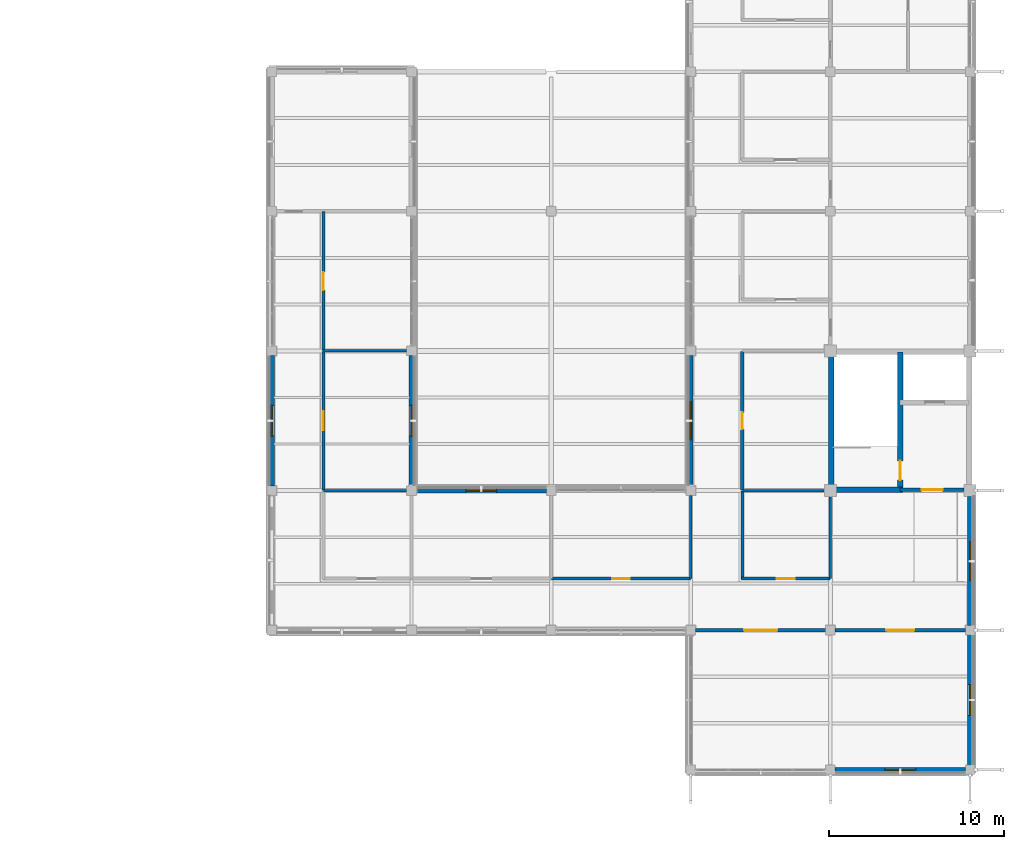
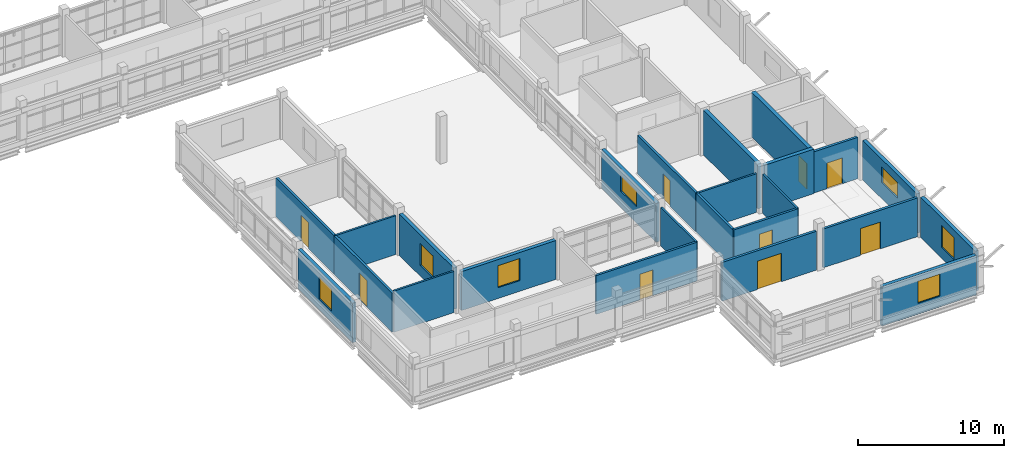
# One storey, part 83 of 107: 24 walls, 9 doors, 7 windows, 16 openings.
"""IFC4 building model written with IfcOpenShell, lengths in metres."""

from ifc_helpers import new_model, si_unit, derived_unit, direction, frame, frame_2d, origin, place, context, subcontext, project, spatial, rectangle, extrude, material, layer, layer_set, type_object, element, fill, save


model = new_model("IFC4")

# Units and contexts
model_context = context("Model", 3, precision=1e-05, world=origin(), true_north=direction((0.0, 1.0)))
body_context = subcontext(model_context, "Body", "Model", "MODEL_VIEW")
ifc_project = project(units=[si_unit("LENGTHUNIT", "METRE"), si_unit("AREAUNIT", "SQUARE_METRE"), si_unit("VOLUMEUNIT", "CUBIC_METRE"), si_unit("PLANEANGLEUNIT", "RADIAN"), si_unit("MASSUNIT", "GRAM", prefix="KILO"), derived_unit("THERMALTRANSMITTANCEUNIT", [(si_unit("MASSUNIT", "GRAM", prefix="KILO"), 1), (si_unit("TIMEUNIT", "SECOND"), -3), (si_unit("THERMODYNAMICTEMPERATUREUNIT", "KELVIN"), -1)])], contexts=[model_context])

# Site, building, storey
site_placement = place(None, origin())
site = spatial("IfcSite", under=ifc_project, at=site_placement, CompositionType="ELEMENT")
building_placement = place(site_placement, origin())
building = spatial("IfcBuilding", under=site, at=building_placement, Name="Veyamyaing Civic Hall", CompositionType="ELEMENT")
storey_placement = place(building_placement, frame((0.0, 0.0, 13.860107421875)))
storey = spatial("IfcBuildingStorey", under=building, at=storey_placement, Name="L03", CompositionType="ELEMENT", Elevation=13.860107421875)

# Walls
ifc_material_1 = material(Name="Concrete C40/50", Category="concrete")
ifc_layer_1 = layer(ifc_material_1, 0.300048828125, Name="Concrete C40/50")
ifc_layer_set_1 = layer_set([ifc_layer_1], Name="Concrete C40/50")
wall_type_1 = type_object("IfcWallType", Name="WT-05", PredefinedType="SHEAR", material=ifc_layer_set_1)
wall_1_placement = place(storey_placement, frame((168.050048828125, 16.239990234375, 0.0), z_axis=(0.0, 0.0, 1.0), x_axis=(0.0, 1.0, 0.0)))
element("IfcWall", 1, at=wall_1_placement, inside=storey, type_object=wall_type_1, Name="Core shear wall WT-05 CORE-8 L03.W", PredefinedType="SHEAR", context=body_context, shape_type="SweptSolid", body=[
    extrude(rectangle(XDim=7.52001953125, YDim=0.300048828125, at=frame_2d((3.760009765625, 0.0))), origin(), (0.0, 0.0, 1.0), 3.724853515625),
])
wall_2_placement = place(storey_placement, frame((168.239990234375, 16.050048828125, 0.0), z_axis=(0.0, 0.0, 1.0), x_axis=(1.0, 0.0, 0.0)))
element("IfcWall", 2, at=wall_2_placement, inside=storey, type_object=wall_type_1, Name="Core shear wall WT-05 CORE-8 L03.SS", PredefinedType="SHEAR", context=body_context, shape_type="SweptSolid", body=[
    extrude(rectangle(XDim=3.909912109375, YDim=0.300048828125, at=frame_2d((1.955078125, 0.0))), origin(), (0.0, 0.0, 1.0), 3.724853515625),
])

# Wall, opening, door
wall_3_placement = place(storey_placement, frame((172.0, 16.050048828125, 0.0), z_axis=(0.0, 0.0, 1.0), x_axis=(0.0, 1.0, 0.0)))
wall_3 = element("IfcWall", 3, at=wall_3_placement, inside=storey, type_object=wall_type_1, Name="Core shear wall WT-05 CORE-8 L03.MID", PredefinedType="SHEAR", context=body_context, shape_type="SweptSolid", body=[
    extrude(rectangle(XDim=7.89990234375, YDim=0.300048828125, at=frame_2d((3.949951171875, 0.0))), origin(), (0.0, 0.0, 1.0), 3.724853515625),
])
opening_1_placement = place(wall_3_placement, frame((0.550048828125, 0.0, 0.0)))
opening_1 = element("IfcOpeningElement", 4, at=opening_1_placement, cuts=wall_3, Name="Opening D-03", PredefinedType="OPENING", context=body_context, shape_type="SweptSolid", body=[
    extrude(rectangle(XDim=1.10009765625, YDim=2.14990234375, at=frame_2d((0.550048828125, 1.074951171875))), frame((0.0, 0.159912109375, 0.0), z_axis=(0.0, -1.0, 0.0), x_axis=(1.0, 0.0, 0.0)), (0.0, 0.0, 1.0), 0.320068359375),
])
ifc_material_2 = material(Name="Galvanized steel S355J2", Category="steel")
door_type_1 = type_object("IfcDoorType", Name="D-03", OperationType="NOTDEFINED", PredefinedType="DOOR", material=ifc_material_2)
door_1_placement = place(opening_1_placement, origin())
door_1 = element("IfcDoor", 5, at=door_1_placement, inside=storey, type_object=door_type_1, Name="Exit stair fire door D-03 ST-10 L03", OperationType="SINGLE_SWING_LEFT", OverallHeight=2.14990234375, OverallWidth=1.10009765625, PredefinedType="DOOR", context=body_context, shape_type="SweptSolid", body=[
    extrude(rectangle(XDim=1.10009765625, YDim=2.14990234375, at=frame_2d((0.550048828125, 1.074951171875))), frame((0.0, 0.02490234375, 0.0), z_axis=(0.0, -1.0, 0.0), x_axis=(1.0, 0.0, 0.0)), (0.0, 0.0, 1.0), 0.050048828125),
])
fill(opening_1, door_1)

ifc_layer_2 = layer(ifc_material_1, 0.199951171875, Name="Concrete C40/50")
ifc_layer_set_2 = layer_set([ifc_layer_2], Name="Concrete C40/50")
wall_type_2 = type_object("IfcWallType", Name="WT-06", PredefinedType="PARTITIONING", material=ifc_layer_set_2)
wall_4_placement = place(storey_placement, frame((172.0, 16.050048828125, 0.0), z_axis=(0.0, 0.0, 1.0), x_axis=(1.0, 0.0, 0.0)))
wall_4 = element("IfcWall", 6, at=wall_4_placement, inside=storey, type_object=wall_type_2, Name="Firefighting lift lobby wall WT-06 CORE-8 L03", PredefinedType="PARTITIONING", context=body_context, shape_type="SweptSolid", body=[
    extrude(rectangle(XDim=3.659912109375, YDim=0.199951171875, at=frame_2d((1.830078125, 0.0))), origin(), (0.0, 0.0, 1.0), 3.44677734375),
])
opening_2_placement = place(wall_4_placement, frame((1.22998046875, 0.0, 0.0)))
opening_2 = element("IfcOpeningElement", 7, at=opening_2_placement, cuts=wall_4, Name="Opening D-04", PredefinedType="OPENING", context=body_context, shape_type="SweptSolid", body=[
    extrude(rectangle(XDim=1.199951171875, YDim=2.14990234375, at=frame_2d((0.60009765625, 1.074951171875))), frame((0.0, 0.10986328125, 0.0), z_axis=(0.0, -1.0, 0.0), x_axis=(1.0, 0.0, 0.0)), (0.0, 0.0, 1.0), 0.219970703125),
])
door_type_2 = type_object("IfcDoorType", Name="D-04", OperationType="NOTDEFINED", PredefinedType="DOOR", material=ifc_material_2)
door_2_placement = place(opening_2_placement, frame((1.199951171875, 0.0, 0.0), z_axis=(0.0, 0.0, 1.0), x_axis=(-1.0, 0.0, 0.0)))
door_2 = element("IfcDoor", 8, at=door_2_placement, inside=storey, type_object=door_type_2, Name="Protected lobby fire door D-04 CORE-8 L03", OperationType="SINGLE_SWING_RIGHT", OverallHeight=2.14990234375, OverallWidth=1.199951171875, PredefinedType="DOOR", context=body_context, shape_type="SweptSolid", body=[
    extrude(rectangle(XDim=1.199951171875, YDim=2.14990234375, at=frame_2d((0.60009765625, 1.074951171875))), frame((0.0, 0.02490234375, 0.0), z_axis=(0.0, -1.0, 0.0), x_axis=(1.0, 0.0, 0.0)), (0.0, 0.0, 1.0), 0.050048828125),
])
fill(opening_2, door_2)

wall_5_placement = place(storey_placement, frame((160.264892578125, 8.0, 0.0), z_axis=(0.0, 0.0, 1.0), x_axis=(1.0, 0.0, 0.0)))
wall_5 = element("IfcWall", 9, at=wall_5_placement, inside=storey, type_object=wall_type_2, Name="Interior partition wall WT-06 L03.27", PredefinedType="PARTITIONING", context=body_context, shape_type="SweptSolid", body=[
    extrude(rectangle(XDim=7.47021484375, YDim=0.199951171875, at=frame_2d((3.735107421875, 0.0))), origin(), (0.0, 0.0, 1.0), 3.247802734375),
])
opening_3_placement = place(wall_5_placement, frame((2.784912109375, 0.0, 0.0)))
opening_3 = element("IfcOpeningElement", 10, at=opening_3_placement, cuts=wall_5, Name="Opening D-31", PredefinedType="OPENING", context=body_context, shape_type="SweptSolid", body=[
    extrude(rectangle(XDim=1.89990234375, YDim=2.3798828125, at=frame_2d((0.949951171875, 1.18994140625))), frame((0.0, 0.10986328125, 0.0), z_axis=(0.0, -1.0, 0.0), x_axis=(1.0, 0.0, 0.0)), (0.0, 0.0, 1.0), 0.219970703125),
])
ifc_material_3 = material(Name="Teak-veneered acoustic timber", Category="wood")
door_type_3 = type_object("IfcDoorType", Name="D-31", OperationType="DOUBLE_DOOR_SINGLE_SWING", PredefinedType="DOOR", material=ifc_material_3)
door_3_placement = place(opening_3_placement, frame((1.89990234375, 0.0, 0.0), z_axis=(0.0, 0.0, 1.0), x_axis=(-1.0, 0.0, 0.0)))
door_3 = element("IfcDoor", 11, at=door_3_placement, inside=storey, type_object=door_type_3, Name="Interior door D-31 L03.27", OperationType="DOUBLE_DOOR_SINGLE_SWING", OverallHeight=2.3798828125, OverallWidth=1.89990234375, PredefinedType="DOOR", context=body_context, shape_type="SweptSolid", body=[
    extrude(rectangle(XDim=1.89990234375, YDim=2.3798828125, at=frame_2d((0.949951171875, 1.18994140625))), frame((0.0, 0.02490234375, 0.0), z_axis=(0.0, -1.0, 0.0), x_axis=(1.0, 0.0, 0.0)), (0.0, 0.0, 1.0), 0.050048828125),
])
fill(opening_3, door_3)

wall_6_placement = place(storey_placement, frame((168.264892578125, 8.0, 0.0), z_axis=(0.0, 0.0, 1.0), x_axis=(1.0, 0.0, 0.0)))
wall_6 = element("IfcWall", 12, at=wall_6_placement, inside=storey, type_object=wall_type_2, Name="Interior partition wall WT-06 L03.34", PredefinedType="PARTITIONING", context=body_context, shape_type="SweptSolid", body=[
    extrude(rectangle(XDim=7.47021484375, YDim=0.199951171875, at=frame_2d((3.735107421875, 0.0))), origin(), (0.0, 0.0, 1.0), 3.23583984375),
])
opening_4_placement = place(wall_6_placement, frame((2.93505859375, 0.0, 0.0)))
opening_4 = element("IfcOpeningElement", 13, at=opening_4_placement, cuts=wall_6, Name="Opening D-09", PredefinedType="OPENING", context=body_context, shape_type="SweptSolid", body=[
    extrude(rectangle(XDim=1.60009765625, YDim=2.25, at=frame_2d((0.800048828125, 1.125))), frame((0.0, 0.10986328125, 0.0), z_axis=(0.0, -1.0, 0.0), x_axis=(1.0, 0.0, 0.0)), (0.0, 0.0, 1.0), 0.219970703125),
])
door_type_4 = type_object("IfcDoorType", Name="D-09", OperationType="DOUBLE_DOOR_SINGLE_SWING", PredefinedType="DOOR", material=ifc_material_3)
door_4_placement = place(opening_4_placement, frame((1.60009765625, 0.0, 0.0), z_axis=(0.0, 0.0, 1.0), x_axis=(-1.0, 0.0, 0.0)))
door_4 = element("IfcDoor", 14, at=door_4_placement, inside=storey, type_object=door_type_4, Name="Interior door D-09 L03.34", OperationType="DOUBLE_DOOR_SINGLE_SWING", OverallHeight=2.25, OverallWidth=1.60009765625, PredefinedType="DOOR", context=body_context, shape_type="SweptSolid", body=[
    extrude(rectangle(XDim=1.60009765625, YDim=2.25, at=frame_2d((0.800048828125, 1.125))), frame((0.0, 0.02490234375, 0.0), z_axis=(0.0, -1.0, 0.0), x_axis=(1.0, 0.0, 0.0)), (0.0, 0.0, 1.0), 0.050048828125),
])
fill(opening_4, door_4)

ifc_material_4 = material(Name="Gypsum board on acoustic steel stud", Category="steel")
ifc_layer_3 = layer(ifc_material_4, 0.175048828125, Name="Gypsum board on acoustic steel stud")
ifc_layer_set_3 = layer_set([ifc_layer_3], Name="Gypsum board on acoustic steel stud")
wall_type_3 = type_object("IfcWallType", Name="WT-07", PredefinedType="PARTITIONING", material=ifc_layer_set_3)
wall_7_placement = place(storey_placement, frame((138.949951171875, 24.02001953125, 0.0), z_axis=(0.0, 0.0, 1.0), x_axis=(0.0, 1.0, 0.0)))
wall_7 = element("IfcWall", 15, at=wall_7_placement, inside=storey, type_object=wall_type_3, Name="Corridor gallery partition WT-07 L03.41.1", PredefinedType="PARTITIONING", context=body_context, shape_type="SweptSolid", body=[
    extrude(rectangle(XDim=7.9599609375, YDim=0.175048828125, at=frame_2d((3.97998046875, 0.0))), origin(), (0.0, 0.0, 1.0), 3.241943359375),
])
opening_5_placement = place(wall_7_placement, frame((3.4599609375, 0.0, 0.0)))
opening_5 = element("IfcOpeningElement", 16, at=opening_5_placement, cuts=wall_7, Name="Opening D-24", PredefinedType="OPENING", context=body_context, shape_type="SweptSolid", body=[
    extrude(rectangle(XDim=1.0400390625, YDim=2.179931640625, at=frame_2d((0.52001953125, 1.08984375))), frame((0.0, 0.097412109375, 0.0), z_axis=(0.0, -1.0, 0.0), x_axis=(1.0, 0.0, 0.0)), (0.0, 0.0, 1.0), 0.195068359375),
])
door_type_5 = type_object("IfcDoorType", Name="D-24", OperationType="NOTDEFINED", PredefinedType="DOOR", material=ifc_material_3)
door_5_placement = place(opening_5_placement, frame((1.0400390625, 0.0, 0.0), z_axis=(0.0, 0.0, 1.0), x_axis=(-1.0, 0.0, 0.0)))
door_5 = element("IfcDoor", 17, at=door_5_placement, inside=storey, type_object=door_type_5, Name="Gallery office door D-24 L03.41", OperationType="SINGLE_SWING_LEFT", OverallHeight=2.179931640625, OverallWidth=1.0400390625, PredefinedType="DOOR", context=body_context, shape_type="SweptSolid", body=[
    extrude(rectangle(XDim=1.0400390625, YDim=2.179931640625, at=frame_2d((0.52001953125, 1.08984375))), frame((0.0, 0.02490234375, 0.0), z_axis=(0.0, -1.0, 0.0), x_axis=(1.0, 0.0, 0.0)), (0.0, 0.0, 1.0), 0.050048828125),
])
fill(opening_5, door_5)

wall_8_placement = place(storey_placement, frame((152.02001953125, 10.949951171875, 0.0), z_axis=(0.0, 0.0, 1.0), x_axis=(1.0, 0.0, 0.0)))
wall_8 = element("IfcWall", 18, at=wall_8_placement, inside=storey, type_object=wall_type_3, Name="Corridor gallery partition WT-07 L03.47.1", PredefinedType="PARTITIONING", context=body_context, shape_type="SweptSolid", body=[
    extrude(rectangle(XDim=7.9599609375, YDim=0.175048828125, at=frame_2d((3.97998046875, 0.0))), origin(), (0.0, 0.0, 1.0), 3.241943359375),
])
opening_6_placement = place(wall_8_placement, frame((3.47998046875, 0.0, 0.0)))
opening_6 = element("IfcOpeningElement", 19, at=opening_6_placement, cuts=wall_8, Name="Opening D-13", PredefinedType="OPENING", context=body_context, shape_type="SweptSolid", body=[
    extrude(rectangle(XDim=1.0, YDim=2.14990234375, at=frame_2d((0.5, 1.074951171875))), frame((0.0, 0.097412109375, 0.0), z_axis=(0.0, -1.0, 0.0), x_axis=(1.0, 0.0, 0.0)), (0.0, 0.0, 1.0), 0.195068359375),
])
door_type_6 = type_object("IfcDoorType", Name="D-13", OperationType="NOTDEFINED", PredefinedType="DOOR", material=ifc_material_3)
door_6_placement = place(opening_6_placement, origin())
door_6 = element("IfcDoor", 20, at=door_6_placement, inside=storey, type_object=door_type_6, Name="Gallery office door D-13 L03.47", OperationType="SINGLE_SWING_LEFT", OverallHeight=2.14990234375, OverallWidth=1.0, PredefinedType="DOOR", context=body_context, shape_type="SweptSolid", body=[
    extrude(rectangle(XDim=1.0, YDim=2.14990234375, at=frame_2d((0.5, 1.074951171875))), frame((0.0, 0.02490234375, 0.0), z_axis=(0.0, -1.0, 0.0), x_axis=(1.0, 0.0, 0.0)), (0.0, 0.0, 1.0), 0.050048828125),
])
fill(opening_6, door_6)

wall_9_placement = place(storey_placement, frame((162.89990234375, 10.949951171875, 0.0), z_axis=(0.0, 0.0, 1.0), x_axis=(1.0, 0.0, 0.0)))
wall_9 = element("IfcWall", 21, at=wall_9_placement, inside=storey, type_object=wall_type_3, Name="Corridor gallery partition WT-07 L03.51.1", PredefinedType="PARTITIONING", context=body_context, shape_type="SweptSolid", body=[
    extrude(rectangle(XDim=5.080078125, YDim=0.175048828125, at=frame_2d((2.5400390625, 0.0))), origin(), (0.0, 0.0, 1.0), 3.247802734375),
])
opening_7_placement = place(wall_9_placement, frame((2.02001953125, 0.0, 0.0)))
opening_7 = element("IfcOpeningElement", 22, at=opening_7_placement, cuts=wall_9, Name="Opening D-24", PredefinedType="OPENING", context=body_context, shape_type="SweptSolid", body=[
    extrude(rectangle(XDim=1.0400390625, YDim=2.179931640625, at=frame_2d((0.52001953125, 1.08984375))), frame((0.0, 0.097412109375, 0.0), z_axis=(0.0, -1.0, 0.0), x_axis=(1.0, 0.0, 0.0)), (0.0, 0.0, 1.0), 0.195068359375),
])
door_7_placement = place(opening_7_placement, origin())
door_7 = element("IfcDoor", 23, at=door_7_placement, inside=storey, type_object=door_type_5, Name="Gallery office door D-24 L03.51", OperationType="SINGLE_SWING_LEFT", OverallHeight=2.179931640625, OverallWidth=1.0400390625, PredefinedType="DOOR", context=body_context, shape_type="SweptSolid", body=[
    extrude(rectangle(XDim=1.0400390625, YDim=2.179931640625, at=frame_2d((0.52001953125, 1.08984375))), frame((0.0, 0.02490234375, 0.0), z_axis=(0.0, -1.0, 0.0), x_axis=(1.0, 0.0, 0.0)), (0.0, 0.0, 1.0), 0.050048828125),
])
fill(opening_7, door_7)

# Walls
wall_10_placement = place(storey_placement, frame((162.949951171875, 10.89990234375, 0.0), z_axis=(0.0, 0.0, 1.0), x_axis=(0.0, 1.0, 0.0)))
element("IfcWall", 24, at=wall_10_placement, inside=storey, type_object=wall_type_3, Name="Corridor gallery partition WT-07 L03.51.2", PredefinedType="PARTITIONING", context=body_context, shape_type="SweptSolid", body=[
    extrude(rectangle(XDim=5.080078125, YDim=0.175048828125, at=frame_2d((2.5400390625, 0.0))), origin(), (0.0, 0.0, 1.0), 3.23583984375),
])
ifc_material_5 = material(Name="Gypsum board on steel stud", Category="steel")
ifc_layer_4 = layer(ifc_material_5, 0.14990234375, Name="Gypsum board on steel stud")
ifc_layer_set_4 = layer_set([ifc_layer_4], Name="Gypsum board on steel stud")
wall_type_4 = type_object("IfcWallType", Name="WT-08", PredefinedType="PARTITIONING", material=ifc_layer_set_4)
wall_11_placement = place(storey_placement, frame((138.949951171875, 16.0, 0.0), z_axis=(0.0, 0.0, 1.0), x_axis=(1.0, 0.0, 0.0)))
element("IfcWall", 25, at=wall_11_placement, inside=storey, type_object=wall_type_4, Name="Gallery office end partition WT-08 L03.39.1", PredefinedType="PARTITIONING", context=body_context, shape_type="SweptSolid", body=[
    extrude(rectangle(XDim=4.76513671875, YDim=0.14990234375, at=frame_2d((2.382568359375, 0.0))), origin(), (0.0, 0.0, 1.0), 3.44677734375),
])
for number, where, z_axis, x_axis, name in (
    (26, (138.949951171875, 24.0, 0.0), (0.0, 0.0, 1.0), (1.0, 0.0, 0.0), "Gallery office end partition WT-08 L03.40.2"),
    (27, (160.0, 10.949951171875, 0.0), (0.0, 0.0, 1.0), (0.0, 1.0, 0.0), "Gallery office end partition WT-08 L03.47.2"),
):
    element("IfcWall", number, at=place(storey_placement, frame(where, z_axis=z_axis, x_axis=x_axis)), inside=storey, type_object=wall_type_4, Name=name, PredefinedType="PARTITIONING", context=body_context, shape_type="SweptSolid", body=[
        extrude(rectangle(XDim=4.76513671875, YDim=0.14990234375, at=frame_2d((2.382568359375, 0.0))), origin(), (0.0, 0.0, 1.0), 3.241943359375),
    ])
wall_12_placement = place(storey_placement, frame((162.949951171875, 16.0, 0.0), z_axis=(0.0, 0.0, 1.0), x_axis=(1.0, 0.0, 0.0)))
element("IfcWall", 28, at=wall_12_placement, inside=storey, type_object=wall_type_4, Name="Gallery office end partition WT-08 L03.51.1", PredefinedType="PARTITIONING", context=body_context, shape_type="SweptSolid", body=[
    extrude(rectangle(XDim=4.68994140625, YDim=0.14990234375, at=frame_2d((2.344970703125, 0.0))), origin(), (0.0, 0.0, 1.0), 3.23583984375),
])
wall_13_placement = place(storey_placement, frame((168.0, 10.949951171875, 0.0), z_axis=(0.0, 0.0, 1.0), x_axis=(0.0, 1.0, 0.0)))
element("IfcWall", 29, at=wall_13_placement, inside=storey, type_object=wall_type_4, Name="Gallery office end partition WT-08 L03.51.2", PredefinedType="PARTITIONING", context=body_context, shape_type="SweptSolid", body=[
    extrude(rectangle(XDim=4.68994140625, YDim=0.14990234375, at=frame_2d((2.344970703125, 0.0))), origin(), (0.0, 0.0, 1.0), 3.247802734375),
])

# Wall, opening, window
ifc_material_6 = material(Name="Precast concrete C40/50", Category="concrete")
ifc_layer_5 = layer(ifc_material_6, 0.27001953125, Name="Precast concrete C40/50")
ifc_layer_set_5 = layer_set([ifc_layer_5], Name="Precast concrete C40/50")
wall_type_5 = type_object("IfcWallType", Name="WT-18", PredefinedType="SOLIDWALL", material=ifc_layer_set_5)
wall_14_placement = place(storey_placement, frame((136.0, 16.260009765625, 0.0), z_axis=(0.0, 0.0, 1.0), x_axis=(0.0, 1.0, 0.0)))
wall_14 = element("IfcWall", 30, at=wall_14_placement, inside=storey, type_object=wall_type_5, Name="Exterior facade wall WT-18 L03 W 18.3", PredefinedType="SOLIDWALL", context=body_context, shape_type="SweptSolid", body=[
    extrude(rectangle(XDim=7.47998046875, YDim=0.27001953125, at=frame_2d((3.739990234375, 0.0))), origin(), (0.0, 0.0, 1.0), 3.298828125),
])
opening_8_placement = place(wall_14_placement, frame((2.864990234375, 0.0, 0.89990234375)))
opening_8 = element("IfcOpeningElement", 31, at=opening_8_placement, cuts=wall_14, Name="Opening W-28", PredefinedType="OPENING", context=body_context, shape_type="SweptSolid", body=[
    extrude(rectangle(XDim=1.75, YDim=1.85009765625, at=frame_2d((0.875, 0.925048828125))), frame((0.0, 0.14501953125, 0.0), z_axis=(0.0, -1.0, 0.0), x_axis=(1.0, 0.0, 0.0)), (0.0, 0.0, 1.0), 0.2900390625),
])
ifc_material_7 = material(Name="Low-E insulated glass", Category="glass")
window_type_1 = type_object("IfcWindowType", Name="W-28", PartitioningType="SINGLE_PANEL", PredefinedType="WINDOW", material=ifc_material_7)
window_1_placement = place(opening_8_placement, origin())
window_1 = element("IfcWindow", 32, at=window_1_placement, inside=storey, type_object=window_type_1, Name="Facade window W-28 L03 W 18.3", OverallHeight=1.85009765625, OverallWidth=1.75, PartitioningType="SINGLE_PANEL", PredefinedType="WINDOW", context=body_context, shape_type="SweptSolid", body=[
    extrude(rectangle(XDim=1.75, YDim=1.85009765625, at=frame_2d((0.875, 0.925048828125))), frame((0.0, 0.030029296875, 0.0), z_axis=(0.0, -1.0, 0.0), x_axis=(1.0, 0.0, 0.0)), (0.0, 0.0, 1.0), 0.06005859375),
])
fill(opening_8, window_1)

wall_15_placement = place(storey_placement, frame((144.0, 16.260009765625, 0.0), z_axis=(0.0, 0.0, 1.0), x_axis=(0.0, 1.0, 0.0)))
wall_15 = element("IfcWall", 33, at=wall_15_placement, inside=storey, type_object=wall_type_5, Name="Exterior facade wall WT-18 L03 E 18.3", PredefinedType="SOLIDWALL", context=body_context, shape_type="SweptSolid", body=[
    extrude(rectangle(XDim=7.47998046875, YDim=0.27001953125, at=frame_2d((3.739990234375, 0.0))), origin(), (0.0, 0.0, 1.0), 3.453857421875),
])
opening_9_placement = place(wall_15_placement, frame((2.864990234375, 0.0, 0.89990234375)))
opening_9 = element("IfcOpeningElement", 34, at=opening_9_placement, cuts=wall_15, Name="Opening W-28", PredefinedType="OPENING", context=body_context, shape_type="SweptSolid", body=[
    extrude(rectangle(XDim=1.75, YDim=1.85009765625, at=frame_2d((0.875, 0.925048828125))), frame((0.0, 0.14501953125, 0.0), z_axis=(0.0, -1.0, 0.0), x_axis=(1.0, 0.0, 0.0)), (0.0, 0.0, 1.0), 0.2900390625),
])
window_2_placement = place(opening_9_placement, origin())
window_2 = element("IfcWindow", 35, at=window_2_placement, inside=storey, type_object=window_type_1, Name="Facade window W-28 L03 E 18.3", OverallHeight=1.85009765625, OverallWidth=1.75, PartitioningType="SINGLE_PANEL", PredefinedType="WINDOW", context=body_context, shape_type="SweptSolid", body=[
    extrude(rectangle(XDim=1.75, YDim=1.85009765625, at=frame_2d((0.875, 0.925048828125))), frame((0.0, 0.030029296875, 0.0), z_axis=(0.0, -1.0, 0.0), x_axis=(1.0, 0.0, 0.0)), (0.0, 0.0, 1.0), 0.06005859375),
])
fill(opening_9, window_2)

wall_16_placement = place(storey_placement, frame((144.260009765625, 16.0, 0.0), z_axis=(0.0, 0.0, 1.0), x_axis=(1.0, 0.0, 0.0)))
wall_16 = element("IfcWall", 36, at=wall_16_placement, inside=storey, type_object=wall_type_5, Name="Exterior facade wall WT-18 L03 N 19.2", PredefinedType="SOLIDWALL", context=body_context, shape_type="SweptSolid", body=[
    extrude(rectangle(XDim=7.47998046875, YDim=0.27001953125, at=frame_2d((3.739990234375, 0.0))), origin(), (0.0, 0.0, 1.0), 3.25390625),
])
opening_10_placement = place(wall_16_placement, frame((2.864990234375, 0.0, 0.89990234375)))
opening_10 = element("IfcOpeningElement", 37, at=opening_10_placement, cuts=wall_16, Name="Opening W-28", PredefinedType="OPENING", context=body_context, shape_type="SweptSolid", body=[
    extrude(rectangle(XDim=1.75, YDim=1.85009765625, at=frame_2d((0.875, 0.925048828125))), frame((0.0, 0.14501953125, 0.0), z_axis=(0.0, -1.0, 0.0), x_axis=(1.0, 0.0, 0.0)), (0.0, 0.0, 1.0), 0.2900390625),
])
window_3_placement = place(opening_10_placement, origin())
window_3 = element("IfcWindow", 38, at=window_3_placement, inside=storey, type_object=window_type_1, Name="Facade window W-28 L03 N 19.2", OverallHeight=1.85009765625, OverallWidth=1.75, PartitioningType="SINGLE_PANEL", PredefinedType="WINDOW", context=body_context, shape_type="SweptSolid", body=[
    extrude(rectangle(XDim=1.75, YDim=1.85009765625, at=frame_2d((0.875, 0.925048828125))), frame((0.0, 0.030029296875, 0.0), z_axis=(0.0, -1.0, 0.0), x_axis=(1.0, 0.0, 0.0)), (0.0, 0.0, 1.0), 0.06005859375),
])
fill(opening_10, window_3)

wall_17_placement = place(storey_placement, frame((160.0, 16.260009765625, 0.0), z_axis=(0.0, 0.0, 1.0), x_axis=(0.0, 1.0, 0.0)))
wall_17 = element("IfcWall", 39, at=wall_17_placement, inside=storey, type_object=wall_type_5, Name="Exterior facade wall WT-18 L03 W 21.3", PredefinedType="SOLIDWALL", context=body_context, shape_type="SweptSolid", body=[
    extrude(rectangle(XDim=7.47998046875, YDim=0.27001953125, at=frame_2d((3.739990234375, 0.0))), origin(), (0.0, 0.0, 1.0), 3.2548828125),
])
opening_11_placement = place(wall_17_placement, frame((2.639892578125, 0.0, 1.35009765625)))
opening_11 = element("IfcOpeningElement", 40, at=opening_11_placement, cuts=wall_17, Name="Opening W-18", PredefinedType="OPENING", context=body_context, shape_type="SweptSolid", body=[
    extrude(rectangle(XDim=2.199951171875, YDim=1.300048828125, at=frame_2d((1.10009765625, 0.64990234375))), frame((0.0, 0.14501953125, 0.0), z_axis=(0.0, -1.0, 0.0), x_axis=(1.0, 0.0, 0.0)), (0.0, 0.0, 1.0), 0.2900390625),
])
window_type_2 = type_object("IfcWindowType", Name="W-18", PartitioningType="SINGLE_PANEL", PredefinedType="WINDOW", material=ifc_material_7)
window_4_placement = place(opening_11_placement, origin())
window_4 = element("IfcWindow", 41, at=window_4_placement, inside=storey, type_object=window_type_2, Name="Facade window W-18 L03 W 21.3", OverallHeight=1.300048828125, OverallWidth=2.199951171875, PartitioningType="SINGLE_PANEL", PredefinedType="WINDOW", context=body_context, shape_type="SweptSolid", body=[
    extrude(rectangle(XDim=2.199951171875, YDim=1.300048828125, at=frame_2d((1.10009765625, 0.64990234375))), frame((0.0, 0.030029296875, 0.0), z_axis=(0.0, -1.0, 0.0), x_axis=(1.0, 0.0, 0.0)), (0.0, 0.0, 1.0), 0.06005859375),
])
fill(opening_11, window_4)

wall_18_placement = place(storey_placement, frame((168.260009765625, 0.0, 0.0), z_axis=(0.0, 0.0, 1.0), x_axis=(1.0, 0.0, 0.0)))
wall_18 = element("IfcWall", 42, at=wall_18_placement, inside=storey, type_object=wall_type_5, Name="Exterior facade wall WT-18 L03 S 22.1", PredefinedType="SOLIDWALL", context=body_context, shape_type="SweptSolid", body=[
    extrude(rectangle(XDim=7.47998046875, YDim=0.27001953125, at=frame_2d((3.739990234375, 0.0))), origin(), (0.0, 0.0, 1.0), 3.294921875),
])
opening_12_placement = place(wall_18_placement, frame((2.864990234375, 0.0, 0.89990234375)))
opening_12 = element("IfcOpeningElement", 43, at=opening_12_placement, cuts=wall_18, Name="Opening W-28", PredefinedType="OPENING", context=body_context, shape_type="SweptSolid", body=[
    extrude(rectangle(XDim=1.75, YDim=1.85009765625, at=frame_2d((0.875, 0.925048828125))), frame((0.0, 0.14501953125, 0.0), z_axis=(0.0, -1.0, 0.0), x_axis=(1.0, 0.0, 0.0)), (0.0, 0.0, 1.0), 0.2900390625),
])
window_5_placement = place(opening_12_placement, origin())
window_5 = element("IfcWindow", 44, at=window_5_placement, inside=storey, type_object=window_type_1, Name="Facade window W-28 L03 S 22.1", OverallHeight=1.85009765625, OverallWidth=1.75, PartitioningType="SINGLE_PANEL", PredefinedType="WINDOW", context=body_context, shape_type="SweptSolid", body=[
    extrude(rectangle(XDim=1.75, YDim=1.85009765625, at=frame_2d((0.875, 0.925048828125))), frame((0.0, 0.030029296875, 0.0), z_axis=(0.0, -1.0, 0.0), x_axis=(1.0, 0.0, 0.0)), (0.0, 0.0, 1.0), 0.06005859375),
])
fill(opening_12, window_5)

wall_19_placement = place(storey_placement, frame((176.0, 0.260009765625, 0.0), z_axis=(0.0, 0.0, 1.0), x_axis=(0.0, 1.0, 0.0)))
wall_19 = element("IfcWall", 45, at=wall_19_placement, inside=storey, type_object=wall_type_5, Name="Exterior facade wall WT-18 L03 E 22.1", PredefinedType="SOLIDWALL", context=body_context, shape_type="SweptSolid", body=[
    extrude(rectangle(XDim=7.47998046875, YDim=0.27001953125, at=frame_2d((3.739990234375, 0.0))), origin(), (0.0, 0.0, 1.0), 3.35888671875),
])
opening_13_placement = place(wall_19_placement, frame((2.864990234375, 0.0, 0.89990234375)))
opening_13 = element("IfcOpeningElement", 46, at=opening_13_placement, cuts=wall_19, Name="Opening W-28", PredefinedType="OPENING", context=body_context, shape_type="SweptSolid", body=[
    extrude(rectangle(XDim=1.75, YDim=1.85009765625, at=frame_2d((0.875, 0.925048828125))), frame((0.0, 0.14501953125, 0.0), z_axis=(0.0, -1.0, 0.0), x_axis=(1.0, 0.0, 0.0)), (0.0, 0.0, 1.0), 0.2900390625),
])
window_6_placement = place(opening_13_placement, origin())
window_6 = element("IfcWindow", 47, at=window_6_placement, inside=storey, type_object=window_type_1, Name="Facade window W-28 L03 E 22.1", OverallHeight=1.85009765625, OverallWidth=1.75, PartitioningType="SINGLE_PANEL", PredefinedType="WINDOW", context=body_context, shape_type="SweptSolid", body=[
    extrude(rectangle(XDim=1.75, YDim=1.85009765625, at=frame_2d((0.875, 0.925048828125))), frame((0.0, 0.030029296875, 0.0), z_axis=(0.0, -1.0, 0.0), x_axis=(1.0, 0.0, 0.0)), (0.0, 0.0, 1.0), 0.06005859375),
])
fill(opening_13, window_6)

wall_20_placement = place(storey_placement, frame((176.0, 8.260009765625, 0.0), z_axis=(0.0, 0.0, 1.0), x_axis=(0.0, 1.0, 0.0)))
wall_20 = element("IfcWall", 48, at=wall_20_placement, inside=storey, type_object=wall_type_5, Name="Exterior facade wall WT-18 L03 E 22.2", PredefinedType="SOLIDWALL", context=body_context, shape_type="SweptSolid", body=[
    extrude(rectangle(XDim=7.405029296875, YDim=0.27001953125, at=frame_2d((3.70263671875, 0.0))), origin(), (0.0, 0.0, 1.0), 3.298828125),
])
opening_14_placement = place(wall_20_placement, frame((2.6025390625, 0.0, 1.35009765625)))
opening_14 = element("IfcOpeningElement", 49, at=opening_14_placement, cuts=wall_20, Name="Opening W-18", PredefinedType="OPENING", context=body_context, shape_type="SweptSolid", body=[
    extrude(rectangle(XDim=2.199951171875, YDim=1.300048828125, at=frame_2d((1.10009765625, 0.64990234375))), frame((0.0, 0.14501953125, 0.0), z_axis=(0.0, -1.0, 0.0), x_axis=(1.0, 0.0, 0.0)), (0.0, 0.0, 1.0), 0.2900390625),
])
window_7_placement = place(opening_14_placement, origin())
window_7 = element("IfcWindow", 50, at=window_7_placement, inside=storey, type_object=window_type_2, Name="Facade window W-18 L03 E 22.2", OverallHeight=1.300048828125, OverallWidth=2.199951171875, PartitioningType="SINGLE_PANEL", PredefinedType="WINDOW", context=body_context, shape_type="SweptSolid", body=[
    extrude(rectangle(XDim=2.199951171875, YDim=1.300048828125, at=frame_2d((1.10009765625, 0.64990234375))), frame((0.0, 0.030029296875, 0.0), z_axis=(0.0, -1.0, 0.0), x_axis=(1.0, 0.0, 0.0)), (0.0, 0.0, 1.0), 0.06005859375),
])
fill(opening_14, window_7)

# Wall, opening, door
ifc_material_8 = material(Name="Gypsum board on double acoustic stud")
ifc_layer_6 = layer(ifc_material_8, 0.18505859375, Name="Gypsum board on double acoustic stud")
ifc_layer_set_6 = layer_set([ifc_layer_6], Name="Gypsum board on double acoustic stud")
wall_type_6 = type_object("IfcWallType", Name="WT-19", PredefinedType="PARTITIONING", material=ifc_layer_set_6)
wall_21_placement = place(storey_placement, frame((138.949951171875, 16.02001953125, 0.0), z_axis=(0.0, 0.0, 1.0), x_axis=(0.0, 1.0, 0.0)))
wall_21 = element("IfcWall", 51, at=wall_21_placement, inside=storey, type_object=wall_type_6, Name="Corridor gallery partition WT-19 L03.40.1", PredefinedType="PARTITIONING", context=body_context, shape_type="SweptSolid", body=[
    extrude(rectangle(XDim=7.9599609375, YDim=0.18505859375, at=frame_2d((3.97998046875, 0.0))), origin(), (0.0, 0.0, 1.0), 3.241943359375),
])
opening_15_placement = place(wall_21_placement, frame((3.43994140625, 0.0, 0.0)))
opening_15 = element("IfcOpeningElement", 52, at=opening_15_placement, cuts=wall_21, Name="Opening D-23", PredefinedType="OPENING", context=body_context, shape_type="SweptSolid", body=[
    extrude(rectangle(XDim=1.080078125, YDim=2.199951171875, at=frame_2d((0.5400390625, 1.10009765625))), frame((0.0, 0.1025390625, 0.0), z_axis=(0.0, -1.0, 0.0), x_axis=(1.0, 0.0, 0.0)), (0.0, 0.0, 1.0), 0.205078125),
])
door_type_7 = type_object("IfcDoorType", Name="D-23", OperationType="NOTDEFINED", PredefinedType="DOOR", material=ifc_material_3)
door_8_placement = place(opening_15_placement, frame((1.080078125, 0.0, 0.0), z_axis=(0.0, 0.0, 1.0), x_axis=(-1.0, 0.0, 0.0)))
door_8 = element("IfcDoor", 53, at=door_8_placement, inside=storey, type_object=door_type_7, Name="Gallery office door D-23 L03.40", OperationType="SINGLE_SWING_RIGHT", OverallHeight=2.199951171875, OverallWidth=1.080078125, PredefinedType="DOOR", context=body_context, shape_type="SweptSolid", body=[
    extrude(rectangle(XDim=1.080078125, YDim=2.199951171875, at=frame_2d((0.5400390625, 1.10009765625))), frame((0.0, 0.02490234375, 0.0), z_axis=(0.0, -1.0, 0.0), x_axis=(1.0, 0.0, 0.0)), (0.0, 0.0, 1.0), 0.050048828125),
])
fill(opening_15, door_8)

wall_22_placement = place(storey_placement, frame((162.949951171875, 16.02001953125, 0.0), z_axis=(0.0, 0.0, 1.0), x_axis=(0.0, 1.0, 0.0)))
wall_22 = element("IfcWall", 54, at=wall_22_placement, inside=storey, type_object=wall_type_6, Name="Corridor gallery partition WT-19 L03.52.1", PredefinedType="PARTITIONING", context=body_context, shape_type="SweptSolid", body=[
    extrude(rectangle(XDim=7.9599609375, YDim=0.18505859375, at=frame_2d((3.97998046875, 0.0))), origin(), (0.0, 0.0, 1.0), 3.23583984375),
])
opening_16_placement = place(wall_22_placement, frame((3.5, 0.0, 0.0)))
opening_16 = element("IfcOpeningElement", 55, at=opening_16_placement, cuts=wall_22, Name="Opening D-25", PredefinedType="OPENING", context=body_context, shape_type="SweptSolid", body=[
    extrude(rectangle(XDim=0.9599609375, YDim=2.139892578125, at=frame_2d((0.47998046875, 1.06982421875))), frame((0.0, 0.1025390625, 0.0), z_axis=(0.0, -1.0, 0.0), x_axis=(1.0, 0.0, 0.0)), (0.0, 0.0, 1.0), 0.205078125),
])
door_type_8 = type_object("IfcDoorType", Name="D-25", OperationType="NOTDEFINED", PredefinedType="DOOR", material=ifc_material_3)
door_9_placement = place(opening_16_placement, frame((0.9599609375, 0.0, 0.0), z_axis=(0.0, 0.0, 1.0), x_axis=(-1.0, 0.0, 0.0)))
door_9 = element("IfcDoor", 56, at=door_9_placement, inside=storey, type_object=door_type_8, Name="Gallery office door D-25 L03.52", OperationType="SINGLE_SWING_RIGHT", OverallHeight=2.139892578125, OverallWidth=0.9599609375, PredefinedType="DOOR", context=body_context, shape_type="SweptSolid", body=[
    extrude(rectangle(XDim=0.9599609375, YDim=2.139892578125, at=frame_2d((0.47998046875, 1.06982421875))), frame((0.0, 0.02490234375, 0.0), z_axis=(0.0, -1.0, 0.0), x_axis=(1.0, 0.0, 0.0)), (0.0, 0.0, 1.0), 0.050048828125),
])
fill(opening_16, door_9)

save(model, "model.ifc")
